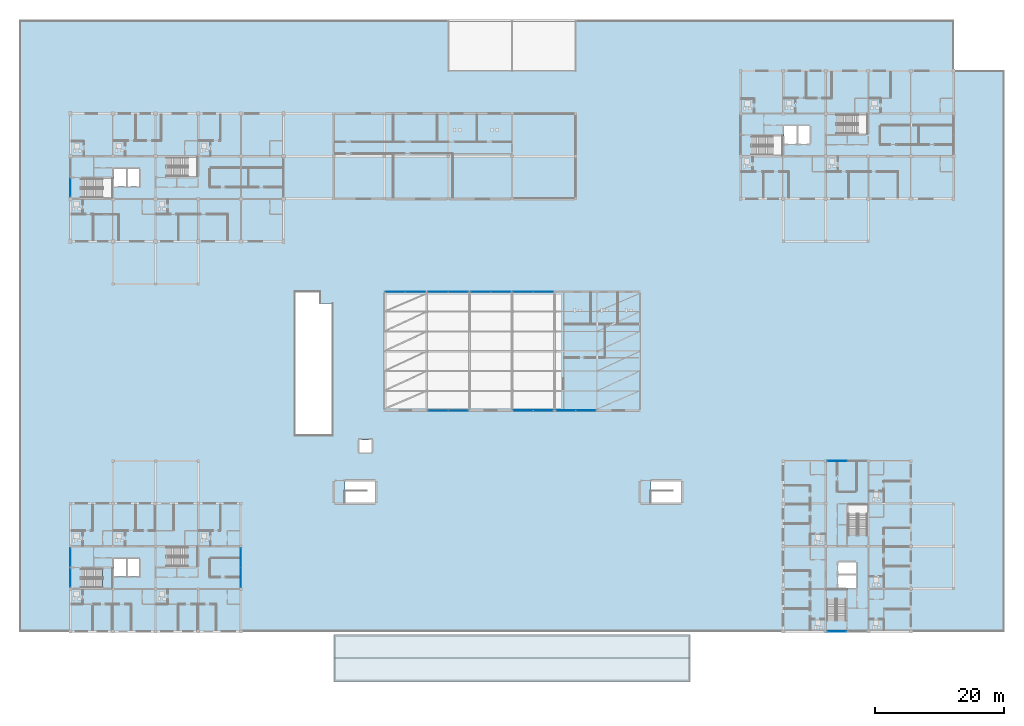
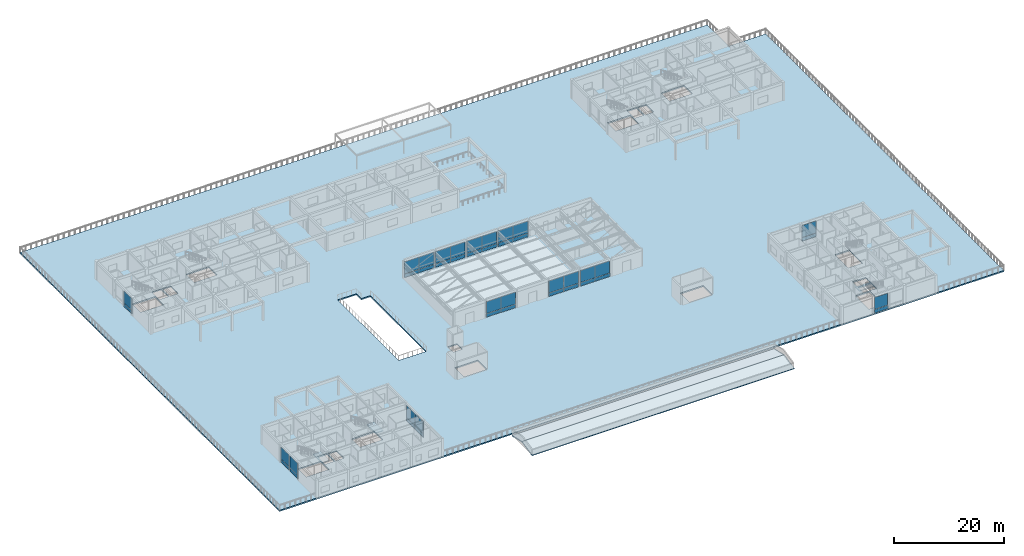
# One storey, part 52 of 92: 42 plates, 6 slabs, 16 elements without a shape of their own.
"""IFC4 building model written with IfcOpenShell, lengths in metres."""

from ifc_helpers import new_model, si_unit, direction, frame, origin, origin_2d, place, context, subcontext, project, spatial, polyline, rectangle, outline, extrude, material, layer, layer_set, type_object, element, aggregate, save


model = new_model("IFC4")

# Units and contexts
model_context = context("Model", 3, precision=1e-05, world=origin(), true_north=direction((0.0, 1.0)))
body_context = subcontext(model_context, "Body", "Model", "MODEL_VIEW")
ifc_project = project(units=[si_unit("LENGTHUNIT", "METRE"), si_unit("AREAUNIT", "SQUARE_METRE"), si_unit("VOLUMEUNIT", "CUBIC_METRE"), si_unit("PLANEANGLEUNIT", "RADIAN"), si_unit("MASSUNIT", "GRAM", prefix="KILO")], contexts=[model_context])

# Site, building, storey
site_placement = place(None, origin())
site = spatial("IfcSite", under=ifc_project, at=site_placement, CompositionType="ELEMENT")
building_placement = place(site_placement, origin())
building = spatial("IfcBuilding", under=site, at=building_placement, Name="Kernevlak Ridge Housing Community", CompositionType="ELEMENT")
storey_placement = place(building_placement, frame((0.0, 0.0, 4.199951171875)))
storey = spatial("IfcBuildingStorey", under=building, at=storey_placement, Name="L01", CompositionType="ELEMENT", Elevation=4.199951171875)

# Curtain wall, plate
ifc_material_1 = material(Name="Aluminium EN AW-6060 anodised and laminated glass", Category="aluminium")
curtain_wall_type_1 = type_object("IfcCurtainWallType", Name="CW-02", PredefinedType="NOTDEFINED", material=ifc_material_1)
curtain_wall_1_placement = place(storey_placement, origin())
curtain_wall_1 = element("IfcCurtainWall", 1, at=curtain_wall_1_placement, inside=storey, type_object=curtain_wall_type_1, Name="Curtain wall CW-02 CW-L01-004", PredefinedType="NOTDEFINED")
ifc_material_2 = material(Name="Acoustic laminated double glazing glass", Category="glass")
ifc_layer_1 = layer(ifc_material_2, 0.028076171875, Name="Acoustic laminated double glazing glass")
ifc_layer_set_1 = layer_set([ifc_layer_1], Name="Acoustic laminated double glazing glass")
plate_type_1 = type_object("IfcPlateType", Name="CP-02", PredefinedType="CURTAIN_PANEL", material=ifc_layer_set_1)
plate_1_placement = place(storey_placement, frame((15.60009765625, 84.344970703125, 0.8798828125), z_axis=(0.0, 0.0, 1.0), x_axis=(0.0, 1.0, 0.0)))
plate_1 = element("IfcPlate", 2, at=plate_1_placement, type_object=plate_type_1, Name="CW-02 panel 1.2", PredefinedType="CURTAIN_PANEL", context=body_context, shape_type="SweptSolid", body=[
    extrude(rectangle(XDim=2.77001953125, YDim=0.028076171875, at=origin_2d()), origin(), (0.0, 0.0, 1.0), 2.659912109375),
])

curtain_wall_type_2 = type_object("IfcCurtainWallType", Name="CW-08", PredefinedType="NOTDEFINED", material=ifc_material_1)
curtain_wall_2_placement = place(storey_placement, origin())
curtain_wall_2 = element("IfcCurtainWall", 3, at=curtain_wall_2_placement, inside=storey, type_object=curtain_wall_type_2, Name="Curtain wall CW-08 CW-L01-103", PredefinedType="NOTDEFINED")
plate_2_placement = place(storey_placement, frame((134.320068359375, 15.60009765625, 0.8798828125), z_axis=(0.0, 0.0, 1.0), x_axis=(1.0, 0.0, 0.0)))
plate_2 = element("IfcPlate", 4, at=plate_2_placement, type_object=plate_type_1, Name="CW-08 panel 1.2", PredefinedType="CURTAIN_PANEL", context=body_context, shape_type="SweptSolid", body=[
    extrude(rectangle(XDim=2.820068359375, YDim=0.028076171875, at=origin_2d()), origin(), (0.0, 0.0, 1.0), 2.659912109375),
])

curtain_wall_type_3 = type_object("IfcCurtainWallType", Name="CW-01", PredefinedType="NOTDEFINED", material=ifc_material_1)
curtain_wall_3_placement = place(storey_placement, origin())
curtain_wall_3 = element("IfcCurtainWall", 5, at=curtain_wall_3_placement, inside=storey, type_object=curtain_wall_type_3, Name="Curtain wall CW-01 CW-L01-105", PredefinedType="NOTDEFINED")
plate_3_placement = place(storey_placement, frame((134.388671875, 42.0, 0.87744140625), z_axis=(0.0, 0.0, 1.0), x_axis=(1.0, 0.0, 0.0)))
plate_3 = element("IfcPlate", 6, at=plate_3_placement, type_object=plate_type_1, Name="CW-01 panel 1.2", PredefinedType="CURTAIN_PANEL", context=body_context, shape_type="SweptSolid", body=[
    extrude(rectangle(XDim=2.967529296875, YDim=0.028076171875, at=origin_2d()), origin(), (0.0, 0.0, 1.0), 2.66748046875),
])

curtain_wall_type_4 = type_object("IfcCurtainWallType", Name="CW-11", PredefinedType="NOTDEFINED", material=ifc_material_1)
curtain_wall_4_placement = place(storey_placement, origin())
curtain_wall_4 = element("IfcCurtainWall", 7, at=curtain_wall_4_placement, inside=storey, type_object=curtain_wall_type_4, Name="Curtain wall CW-11 CW-L01-142", PredefinedType="NOTDEFINED")
plate_4_placement = place(storey_placement, frame((15.60009765625, 23.907470703125, 0.8798828125), z_axis=(0.0, 0.0, 1.0), x_axis=(0.0, 1.0, 0.0)))
plate_4 = element("IfcPlate", 8, at=plate_4_placement, type_object=plate_type_1, Name="CW-11 panel 1.2", PredefinedType="CURTAIN_PANEL", context=body_context, shape_type="SweptSolid", body=[
    extrude(rectangle(XDim=2.844970703125, YDim=0.028076171875, at=origin_2d()), origin(), (0.0, 0.0, 1.0), 2.659912109375),
])

curtain_wall_type_5 = type_object("IfcCurtainWallType", Name="CW-03", PredefinedType="NOTDEFINED", material=ifc_material_1)
curtain_wall_5_placement = place(storey_placement, origin())
curtain_wall_5 = element("IfcCurtainWall", 9, at=curtain_wall_5_placement, inside=storey, type_object=curtain_wall_type_5, Name="Curtain wall CW-03 CW-L01-143", PredefinedType="NOTDEFINED")
plate_5_placement = place(storey_placement, frame((15.60009765625, 27.092529296875, 0.88232421875), z_axis=(0.0, 0.0, 1.0), x_axis=(0.0, 1.0, 0.0)))
plate_5 = element("IfcPlate", 10, at=plate_5_placement, type_object=plate_type_1, Name="CW-03 panel 1.2", PredefinedType="CURTAIN_PANEL", context=body_context, shape_type="SweptSolid", body=[
    extrude(rectangle(XDim=2.8349609375, YDim=0.028076171875, at=origin_2d()), origin(), (0.0, 0.0, 1.0), 2.652587890625),
])

# Curtain wall, plates
curtain_wall_6_placement = place(storey_placement, origin())
curtain_wall_6 = element("IfcCurtainWall", 11, at=curtain_wall_6_placement, inside=storey, type_object=curtain_wall_type_5, Name="Curtain wall CW-03 CW-L01-144", PredefinedType="NOTDEFINED")
plate_6_placement = place(storey_placement, frame((42.0, 23.976318359375, 0.87744140625), z_axis=(0.0, 0.0, 1.0), x_axis=(0.0, 1.0, 0.0)))
plate_6 = element("IfcPlate", 12, at=plate_6_placement, type_object=plate_type_1, Name="CW-03 panel 1.2", PredefinedType="CURTAIN_PANEL", context=body_context, shape_type="SweptSolid", body=[
    extrude(rectangle(XDim=2.992431640625, YDim=0.028076171875, at=origin_2d()), origin(), (0.0, 0.0, 1.0), 2.66748046875),
])
plate_7_placement = place(storey_placement, frame((42.0, 27.023681640625, 0.87744140625), z_axis=(0.0, 0.0, 1.0), x_axis=(0.0, 1.0, 0.0)))
plate_7 = element("IfcPlate", 13, at=plate_7_placement, type_object=plate_type_1, Name="CW-03 panel 2.2", PredefinedType="CURTAIN_PANEL", context=body_context, shape_type="SweptSolid", body=[
    extrude(rectangle(XDim=2.992431640625, YDim=0.028076171875, at=origin_2d()), origin(), (0.0, 0.0, 1.0), 2.66748046875),
])

curtain_wall_type_6 = type_object("IfcCurtainWallType", Name="CW-10", PredefinedType="NOTDEFINED", material=ifc_material_1)
curtain_wall_7_placement = place(storey_placement, origin())
curtain_wall_7 = element("IfcCurtainWall", 14, at=curtain_wall_7_placement, inside=storey, type_object=curtain_wall_type_6, Name="Curtain wall CW-10 CW-L01-175", PredefinedType="NOTDEFINED")
plate_8_placement = place(storey_placement, frame((65.93994140625, 68.199951171875, 0.8798828125), z_axis=(0.0, 0.0, 1.0), x_axis=(1.0, 0.0, 0.0)))
plate_8 = element("IfcPlate", 15, at=plate_8_placement, type_object=plate_type_1, Name="CW-10 panel 1.2", PredefinedType="CURTAIN_PANEL", context=body_context, shape_type="SweptSolid", body=[
    extrude(rectangle(XDim=3.06005859375, YDim=0.028076171875, at=origin_2d()), origin(), (0.0, 0.0, 1.0), 2.659912109375),
])
plate_9_placement = place(storey_placement, frame((69.06005859375, 68.199951171875, 0.8798828125), z_axis=(0.0, 0.0, 1.0), x_axis=(1.0, 0.0, 0.0)))
plate_9 = element("IfcPlate", 16, at=plate_9_placement, type_object=plate_type_1, Name="CW-10 panel 2.2", PredefinedType="CURTAIN_PANEL", context=body_context, shape_type="SweptSolid", body=[
    extrude(rectangle(XDim=3.06005859375, YDim=0.028076171875, at=origin_2d()), origin(), (0.0, 0.0, 1.0), 2.659912109375),
])

curtain_wall_type_7 = type_object("IfcCurtainWallType", Name="CW-07", PredefinedType="NOTDEFINED", material=ifc_material_1)
curtain_wall_8_placement = place(storey_placement, origin())
curtain_wall_8 = element("IfcCurtainWall", 17, at=curtain_wall_8_placement, inside=storey, type_object=curtain_wall_type_7, Name="Curtain wall CW-07 CW-L01-176", PredefinedType="NOTDEFINED")
plate_10_placement = place(storey_placement, frame((72.543701171875, 49.800048828125, 0.88232421875), z_axis=(0.0, 0.0, 1.0), x_axis=(1.0, 0.0, 0.0)))
plate_10 = element("IfcPlate", 18, at=plate_10_placement, type_object=plate_type_1, Name="CW-07 panel 1.2", PredefinedType="CURTAIN_PANEL", context=body_context, shape_type="SweptSolid", body=[
    extrude(rectangle(XDim=3.0576171875, YDim=0.028076171875, at=origin_2d()), origin(), (0.0, 0.0, 1.0), 2.652587890625),
])
plate_11_placement = place(storey_placement, frame((75.666259765625, 49.800048828125, 0.88232421875), z_axis=(0.0, 0.0, 1.0), x_axis=(1.0, 0.0, 0.0)))
plate_11 = element("IfcPlate", 19, at=plate_11_placement, type_object=plate_type_1, Name="CW-07 panel 2.2", PredefinedType="CURTAIN_PANEL", context=body_context, shape_type="SweptSolid", body=[
    extrude(rectangle(XDim=3.0576171875, YDim=0.028076171875, at=origin_2d()), origin(), (0.0, 0.0, 1.0), 2.652587890625),
])

curtain_wall_9_placement = place(storey_placement, origin())
curtain_wall_9 = element("IfcCurtainWall", 20, at=curtain_wall_9_placement, inside=storey, type_object=curtain_wall_type_4, Name="Curtain wall CW-11 CW-L01-177", PredefinedType="NOTDEFINED")
plate_12_placement = place(storey_placement, frame((72.541259765625, 68.199951171875, 0.87744140625), z_axis=(0.0, 0.0, 1.0), x_axis=(1.0, 0.0, 0.0)))
plate_12 = element("IfcPlate", 21, at=plate_12_placement, type_object=plate_type_1, Name="CW-11 panel 1.2", PredefinedType="CURTAIN_PANEL", context=body_context, shape_type="SweptSolid", body=[
    extrude(rectangle(XDim=3.072509765625, YDim=0.028076171875, at=origin_2d()), origin(), (0.0, 0.0, 1.0), 2.66748046875),
])
plate_13_placement = place(storey_placement, frame((75.668701171875, 68.199951171875, 0.87744140625), z_axis=(0.0, 0.0, 1.0), x_axis=(1.0, 0.0, 0.0)))
plate_13 = element("IfcPlate", 22, at=plate_13_placement, type_object=plate_type_1, Name="CW-11 panel 2.2", PredefinedType="CURTAIN_PANEL", context=body_context, shape_type="SweptSolid", body=[
    extrude(rectangle(XDim=3.072509765625, YDim=0.028076171875, at=origin_2d()), origin(), (0.0, 0.0, 1.0), 2.66748046875),
])

curtain_wall_type_8 = type_object("IfcCurtainWallType", Name="CW-12", PredefinedType="NOTDEFINED", material=ifc_material_1)
curtain_wall_10_placement = place(storey_placement, origin())
curtain_wall_10 = element("IfcCurtainWall", 23, at=curtain_wall_10_placement, inside=storey, type_object=curtain_wall_type_8, Name="Curtain wall CW-12 CW-L01-178", PredefinedType="NOTDEFINED")
plate_14_placement = place(storey_placement, frame((79.14501953125, 68.199951171875, 0.8798828125), z_axis=(0.0, 0.0, 1.0), x_axis=(1.0, 0.0, 0.0)))
plate_14 = element("IfcPlate", 24, at=plate_14_placement, type_object=plate_type_1, Name="CW-12 panel 1.2", PredefinedType="CURTAIN_PANEL", context=body_context, shape_type="SweptSolid", body=[
    extrude(rectangle(XDim=3.090087890625, YDim=0.028076171875, at=origin_2d()), origin(), (0.0, 0.0, 1.0), 2.659912109375),
])
plate_15_placement = place(storey_placement, frame((82.294921875, 68.199951171875, 0.8798828125), z_axis=(0.0, 0.0, 1.0), x_axis=(1.0, 0.0, 0.0)))
plate_15 = element("IfcPlate", 25, at=plate_15_placement, type_object=plate_type_1, Name="CW-12 panel 2.2", PredefinedType="CURTAIN_PANEL", context=body_context, shape_type="SweptSolid", body=[
    extrude(rectangle(XDim=3.090087890625, YDim=0.028076171875, at=origin_2d()), origin(), (0.0, 0.0, 1.0), 2.659912109375),
])

curtain_wall_type_9 = type_object("IfcCurtainWallType", Name="CW-09", PredefinedType="NOTDEFINED", material=ifc_material_1)
curtain_wall_11_placement = place(storey_placement, origin())
curtain_wall_11 = element("IfcCurtainWall", 26, at=curtain_wall_11_placement, inside=storey, type_object=curtain_wall_type_9, Name="Curtain wall CW-09 CW-L01-179", PredefinedType="NOTDEFINED")
plate_16_placement = place(storey_placement, frame((85.706298828125, 49.800048828125, 0.88232421875), z_axis=(0.0, 0.0, 1.0), x_axis=(1.0, 0.0, 0.0)))
plate_16 = element("IfcPlate", 27, at=plate_16_placement, type_object=plate_type_1, Name="CW-09 panel 1.2", PredefinedType="CURTAIN_PANEL", context=body_context, shape_type="SweptSolid", body=[
    extrude(rectangle(XDim=3.08251953125, YDim=0.028076171875, at=origin_2d()), origin(), (0.0, 0.0, 1.0), 2.652587890625),
])
plate_17_placement = place(storey_placement, frame((88.853759765625, 49.800048828125, 0.88232421875), z_axis=(0.0, 0.0, 1.0), x_axis=(1.0, 0.0, 0.0)))
plate_17 = element("IfcPlate", 28, at=plate_17_placement, type_object=plate_type_1, Name="CW-09 panel 2.2", PredefinedType="CURTAIN_PANEL", context=body_context, shape_type="SweptSolid", body=[
    extrude(rectangle(XDim=3.08251953125, YDim=0.028076171875, at=origin_2d()), origin(), (0.0, 0.0, 1.0), 2.652587890625),
])

curtain_wall_type_10 = type_object("IfcCurtainWallType", Name="CW-13", PredefinedType="NOTDEFINED", material=ifc_material_1)
curtain_wall_12_placement = place(storey_placement, origin())
curtain_wall_12 = element("IfcCurtainWall", 29, at=curtain_wall_12_placement, inside=storey, type_object=curtain_wall_type_10, Name="Curtain wall CW-13 CW-L01-180", PredefinedType="NOTDEFINED")
plate_18_placement = place(storey_placement, frame((85.703857421875, 68.199951171875, 0.87744140625), z_axis=(0.0, 0.0, 1.0), x_axis=(1.0, 0.0, 0.0)))
plate_18 = element("IfcPlate", 30, at=plate_18_placement, type_object=plate_type_1, Name="CW-13 panel 1.2", PredefinedType="CURTAIN_PANEL", context=body_context, shape_type="SweptSolid", body=[
    extrude(rectangle(XDim=3.097412109375, YDim=0.028076171875, at=origin_2d()), origin(), (0.0, 0.0, 1.0), 2.66748046875),
])
plate_19_placement = place(storey_placement, frame((88.856201171875, 68.199951171875, 0.87744140625), z_axis=(0.0, 0.0, 1.0), x_axis=(1.0, 0.0, 0.0)))
plate_19 = element("IfcPlate", 31, at=plate_19_placement, type_object=plate_type_1, Name="CW-13 panel 2.2", PredefinedType="CURTAIN_PANEL", context=body_context, shape_type="SweptSolid", body=[
    extrude(rectangle(XDim=3.097412109375, YDim=0.028076171875, at=origin_2d()), origin(), (0.0, 0.0, 1.0), 2.66748046875),
])

curtain_wall_13_placement = place(storey_placement, origin())
curtain_wall_13 = element("IfcCurtainWall", 32, at=curtain_wall_13_placement, inside=storey, type_object=curtain_wall_type_6, Name="Curtain wall CW-10 CW-L01-181", PredefinedType="NOTDEFINED")
plate_20_placement = place(storey_placement, frame((92.33251953125, 49.800048828125, 0.8798828125), z_axis=(0.0, 0.0, 1.0), x_axis=(1.0, 0.0, 0.0)))
plate_20 = element("IfcPlate", 33, at=plate_20_placement, type_object=plate_type_1, Name="CW-10 panel 1.2", PredefinedType="CURTAIN_PANEL", context=body_context, shape_type="SweptSolid", body=[
    extrude(rectangle(XDim=3.06494140625, YDim=0.028076171875, at=origin_2d()), origin(), (0.0, 0.0, 1.0), 2.659912109375),
])
plate_21_placement = place(storey_placement, frame((95.45751953125, 49.800048828125, 0.8798828125), z_axis=(0.0, 0.0, 1.0), x_axis=(1.0, 0.0, 0.0)))
plate_21 = element("IfcPlate", 34, at=plate_21_placement, type_object=plate_type_1, Name="CW-10 panel 2.2", PredefinedType="CURTAIN_PANEL", context=body_context, shape_type="SweptSolid", body=[
    extrude(rectangle(XDim=3.06494140625, YDim=0.028076171875, at=origin_2d()), origin(), (0.0, 0.0, 1.0), 2.659912109375),
])

# Plate
ifc_material_3 = material(Name="Aluminium EN AW-5005 enamelled panel", Category="aluminium")
ifc_layer_2 = layer(ifc_material_3, 0.033935546875, Name="Aluminium EN AW-5005 enamelled panel")
ifc_layer_set_2 = layer_set([ifc_layer_2], Name="Aluminium EN AW-5005 enamelled panel")
plate_type_2 = type_object("IfcPlateType", Name="CP-03", PredefinedType="CURTAIN_PANEL", material=ifc_layer_set_2)
plate_22_placement = place(storey_placement, frame((15.60009765625, 23.907470703125, 0.06005859375), z_axis=(0.0, 0.0, 1.0), x_axis=(0.0, 1.0, 0.0)))
plate_22 = element("IfcPlate", 35, at=plate_22_placement, type_object=plate_type_2, Name="CW-11 panel 1.1", PredefinedType="CURTAIN_PANEL", context=body_context, shape_type="SweptSolid", body=[
    extrude(rectangle(XDim=2.844970703125, YDim=0.033935546875, at=origin_2d()), origin(), (0.0, 0.0, 1.0), 0.760009765625),
])

aggregate(curtain_wall_4, [plate_22, plate_4])

ifc_layer_3 = layer(ifc_material_3, 0.0380859375, Name="Aluminium EN AW-5005 enamelled panel")
ifc_layer_set_3 = layer_set([ifc_layer_3], Name="Aluminium EN AW-5005 enamelled panel")
plate_type_3 = type_object("IfcPlateType", Name="CP-04", PredefinedType="CURTAIN_PANEL", material=ifc_layer_set_3)
plate_23_placement = place(storey_placement, frame((134.388671875, 42.0, 0.054931640625), z_axis=(0.0, 0.0, 1.0), x_axis=(1.0, 0.0, 0.0)))
plate_23 = element("IfcPlate", 36, at=plate_23_placement, type_object=plate_type_3, Name="CW-01 panel 1.1", PredefinedType="CURTAIN_PANEL", context=body_context, shape_type="SweptSolid", body=[
    extrude(rectangle(XDim=2.967529296875, YDim=0.0380859375, at=origin_2d()), origin(), (0.0, 0.0, 1.0), 0.767578125),
])

aggregate(curtain_wall_3, [plate_23, plate_3])

plate_24_placement = place(storey_placement, frame((15.60009765625, 27.092529296875, 0.065185546875), z_axis=(0.0, 0.0, 1.0), x_axis=(0.0, 1.0, 0.0)))
plate_24 = element("IfcPlate", 37, at=plate_24_placement, type_object=plate_type_3, Name="CW-03 panel 1.1", PredefinedType="CURTAIN_PANEL", context=body_context, shape_type="SweptSolid", body=[
    extrude(rectangle(XDim=2.8349609375, YDim=0.0380859375, at=origin_2d()), origin(), (0.0, 0.0, 1.0), 0.75244140625),
])

aggregate(curtain_wall_5, [plate_24, plate_5])

plate_25_placement = place(storey_placement, frame((65.93994140625, 68.199951171875, 0.06005859375), z_axis=(0.0, 0.0, 1.0), x_axis=(1.0, 0.0, 0.0)))
plate_25 = element("IfcPlate", 38, at=plate_25_placement, type_object=plate_type_3, Name="CW-10 panel 1.1", PredefinedType="CURTAIN_PANEL", context=body_context, shape_type="SweptSolid", body=[
    extrude(rectangle(XDim=3.06005859375, YDim=0.0380859375, at=origin_2d()), origin(), (0.0, 0.0, 1.0), 0.760009765625),
])

plate_26_placement = place(storey_placement, frame((69.06005859375, 68.199951171875, 0.06005859375), z_axis=(0.0, 0.0, 1.0), x_axis=(1.0, 0.0, 0.0)))
plate_26 = element("IfcPlate", 39, at=plate_26_placement, type_object=plate_type_3, Name="CW-10 panel 2.1", PredefinedType="CURTAIN_PANEL", context=body_context, shape_type="SweptSolid", body=[
    extrude(rectangle(XDim=3.06005859375, YDim=0.0380859375, at=origin_2d()), origin(), (0.0, 0.0, 1.0), 0.760009765625),
])

aggregate(curtain_wall_7, [plate_25, plate_8, plate_26, plate_9])

plate_27_placement = place(storey_placement, frame((72.543701171875, 49.800048828125, 0.065185546875), z_axis=(0.0, 0.0, 1.0), x_axis=(1.0, 0.0, 0.0)))
plate_27 = element("IfcPlate", 40, at=plate_27_placement, type_object=plate_type_3, Name="CW-07 panel 1.1", PredefinedType="CURTAIN_PANEL", context=body_context, shape_type="SweptSolid", body=[
    extrude(rectangle(XDim=3.0576171875, YDim=0.0380859375, at=origin_2d()), origin(), (0.0, 0.0, 1.0), 0.75244140625),
])

plate_28_placement = place(storey_placement, frame((75.666259765625, 49.800048828125, 0.065185546875), z_axis=(0.0, 0.0, 1.0), x_axis=(1.0, 0.0, 0.0)))
plate_28 = element("IfcPlate", 41, at=plate_28_placement, type_object=plate_type_3, Name="CW-07 panel 2.1", PredefinedType="CURTAIN_PANEL", context=body_context, shape_type="SweptSolid", body=[
    extrude(rectangle(XDim=3.0576171875, YDim=0.0380859375, at=origin_2d()), origin(), (0.0, 0.0, 1.0), 0.75244140625),
])

aggregate(curtain_wall_8, [plate_27, plate_10, plate_28, plate_11])

ifc_layer_4 = layer(ifc_material_3, 0.0419921875, Name="Aluminium EN AW-5005 enamelled panel")
ifc_layer_set_4 = layer_set([ifc_layer_4], Name="Aluminium EN AW-5005 enamelled panel")
plate_type_4 = type_object("IfcPlateType", Name="CP-05", PredefinedType="CURTAIN_PANEL", material=ifc_layer_set_4)
plate_29_placement = place(storey_placement, frame((15.60009765625, 84.344970703125, 0.06005859375), z_axis=(0.0, 0.0, 1.0), x_axis=(0.0, 1.0, 0.0)))
plate_29 = element("IfcPlate", 42, at=plate_29_placement, type_object=plate_type_4, Name="CW-02 panel 1.1", PredefinedType="CURTAIN_PANEL", context=body_context, shape_type="SweptSolid", body=[
    extrude(rectangle(XDim=2.77001953125, YDim=0.0419921875, at=origin_2d()), origin(), (0.0, 0.0, 1.0), 0.760009765625),
])

aggregate(curtain_wall_1, [plate_29, plate_1])

plate_30_placement = place(storey_placement, frame((42.0, 23.976318359375, 0.054931640625), z_axis=(0.0, 0.0, 1.0), x_axis=(0.0, 1.0, 0.0)))
plate_30 = element("IfcPlate", 43, at=plate_30_placement, type_object=plate_type_4, Name="CW-03 panel 1.1", PredefinedType="CURTAIN_PANEL", context=body_context, shape_type="SweptSolid", body=[
    extrude(rectangle(XDim=2.992431640625, YDim=0.0419921875, at=origin_2d()), origin(), (0.0, 0.0, 1.0), 0.767578125),
])

plate_31_placement = place(storey_placement, frame((42.0, 27.023681640625, 0.054931640625), z_axis=(0.0, 0.0, 1.0), x_axis=(0.0, 1.0, 0.0)))
plate_31 = element("IfcPlate", 44, at=plate_31_placement, type_object=plate_type_4, Name="CW-03 panel 2.1", PredefinedType="CURTAIN_PANEL", context=body_context, shape_type="SweptSolid", body=[
    extrude(rectangle(XDim=2.992431640625, YDim=0.0419921875, at=origin_2d()), origin(), (0.0, 0.0, 1.0), 0.767578125),
])

aggregate(curtain_wall_6, [plate_30, plate_6, plate_31, plate_7])

plate_32_placement = place(storey_placement, frame((72.541259765625, 68.199951171875, 0.054931640625), z_axis=(0.0, 0.0, 1.0), x_axis=(1.0, 0.0, 0.0)))
plate_32 = element("IfcPlate", 45, at=plate_32_placement, type_object=plate_type_4, Name="CW-11 panel 1.1", PredefinedType="CURTAIN_PANEL", context=body_context, shape_type="SweptSolid", body=[
    extrude(rectangle(XDim=3.072509765625, YDim=0.0419921875, at=origin_2d()), origin(), (0.0, 0.0, 1.0), 0.767578125),
])

plate_33_placement = place(storey_placement, frame((75.668701171875, 68.199951171875, 0.054931640625), z_axis=(0.0, 0.0, 1.0), x_axis=(1.0, 0.0, 0.0)))
plate_33 = element("IfcPlate", 46, at=plate_33_placement, type_object=plate_type_4, Name="CW-11 panel 2.1", PredefinedType="CURTAIN_PANEL", context=body_context, shape_type="SweptSolid", body=[
    extrude(rectangle(XDim=3.072509765625, YDim=0.0419921875, at=origin_2d()), origin(), (0.0, 0.0, 1.0), 0.767578125),
])

aggregate(curtain_wall_9, [plate_32, plate_12, plate_33, plate_13])

ifc_material_4 = material(Name="Aluminium EN AW-5005 insulated panel", Category="aluminium")
ifc_layer_5 = layer(ifc_material_4, 0.0458984375, Name="Aluminium EN AW-5005 insulated panel")
ifc_layer_set_5 = layer_set([ifc_layer_5], Name="Aluminium EN AW-5005 insulated panel")
plate_type_5 = type_object("IfcPlateType", Name="CP-06", PredefinedType="CURTAIN_PANEL", material=ifc_layer_set_5)
plate_34_placement = place(storey_placement, frame((79.14501953125, 68.199951171875, 0.06005859375), z_axis=(0.0, 0.0, 1.0), x_axis=(1.0, 0.0, 0.0)))
plate_34 = element("IfcPlate", 47, at=plate_34_placement, type_object=plate_type_5, Name="CW-12 panel 1.1", PredefinedType="CURTAIN_PANEL", context=body_context, shape_type="SweptSolid", body=[
    extrude(rectangle(XDim=3.090087890625, YDim=0.0458984375, at=origin_2d()), origin(), (0.0, 0.0, 1.0), 0.760009765625),
])

plate_35_placement = place(storey_placement, frame((82.294921875, 68.199951171875, 0.06005859375), z_axis=(0.0, 0.0, 1.0), x_axis=(1.0, 0.0, 0.0)))
plate_35 = element("IfcPlate", 48, at=plate_35_placement, type_object=plate_type_5, Name="CW-12 panel 2.1", PredefinedType="CURTAIN_PANEL", context=body_context, shape_type="SweptSolid", body=[
    extrude(rectangle(XDim=3.090087890625, YDim=0.0458984375, at=origin_2d()), origin(), (0.0, 0.0, 1.0), 0.760009765625),
])

aggregate(curtain_wall_10, [plate_34, plate_14, plate_35, plate_15])

plate_36_placement = place(storey_placement, frame((85.706298828125, 49.800048828125, 0.065185546875), z_axis=(0.0, 0.0, 1.0), x_axis=(1.0, 0.0, 0.0)))
plate_36 = element("IfcPlate", 49, at=plate_36_placement, type_object=plate_type_5, Name="CW-09 panel 1.1", PredefinedType="CURTAIN_PANEL", context=body_context, shape_type="SweptSolid", body=[
    extrude(rectangle(XDim=3.08251953125, YDim=0.0458984375, at=origin_2d()), origin(), (0.0, 0.0, 1.0), 0.75244140625),
])

plate_37_placement = place(storey_placement, frame((88.853759765625, 49.800048828125, 0.065185546875), z_axis=(0.0, 0.0, 1.0), x_axis=(1.0, 0.0, 0.0)))
plate_37 = element("IfcPlate", 50, at=plate_37_placement, type_object=plate_type_5, Name="CW-09 panel 2.1", PredefinedType="CURTAIN_PANEL", context=body_context, shape_type="SweptSolid", body=[
    extrude(rectangle(XDim=3.08251953125, YDim=0.0458984375, at=origin_2d()), origin(), (0.0, 0.0, 1.0), 0.75244140625),
])

aggregate(curtain_wall_11, [plate_36, plate_16, plate_37, plate_17])

ifc_layer_6 = layer(ifc_material_4, 0.050048828125, Name="Aluminium EN AW-5005 insulated panel")
ifc_layer_set_6 = layer_set([ifc_layer_6], Name="Aluminium EN AW-5005 insulated panel")
plate_type_6 = type_object("IfcPlateType", Name="CP-07", PredefinedType="CURTAIN_PANEL", material=ifc_layer_set_6)
plate_38_placement = place(storey_placement, frame((134.320068359375, 15.60009765625, 0.06005859375), z_axis=(0.0, 0.0, 1.0), x_axis=(1.0, 0.0, 0.0)))
plate_38 = element("IfcPlate", 51, at=plate_38_placement, type_object=plate_type_6, Name="CW-08 panel 1.1", PredefinedType="CURTAIN_PANEL", context=body_context, shape_type="SweptSolid", body=[
    extrude(rectangle(XDim=2.820068359375, YDim=0.050048828125, at=origin_2d()), origin(), (0.0, 0.0, 1.0), 0.760009765625),
])

aggregate(curtain_wall_2, [plate_38, plate_2])

plate_39_placement = place(storey_placement, frame((85.703857421875, 68.199951171875, 0.054931640625), z_axis=(0.0, 0.0, 1.0), x_axis=(1.0, 0.0, 0.0)))
plate_39 = element("IfcPlate", 52, at=plate_39_placement, type_object=plate_type_6, Name="CW-13 panel 1.1", PredefinedType="CURTAIN_PANEL", context=body_context, shape_type="SweptSolid", body=[
    extrude(rectangle(XDim=3.097412109375, YDim=0.050048828125, at=origin_2d()), origin(), (0.0, 0.0, 1.0), 0.767578125),
])

plate_40_placement = place(storey_placement, frame((88.856201171875, 68.199951171875, 0.054931640625), z_axis=(0.0, 0.0, 1.0), x_axis=(1.0, 0.0, 0.0)))
plate_40 = element("IfcPlate", 53, at=plate_40_placement, type_object=plate_type_6, Name="CW-13 panel 2.1", PredefinedType="CURTAIN_PANEL", context=body_context, shape_type="SweptSolid", body=[
    extrude(rectangle(XDim=3.097412109375, YDim=0.050048828125, at=origin_2d()), origin(), (0.0, 0.0, 1.0), 0.767578125),
])

aggregate(curtain_wall_12, [plate_39, plate_18, plate_40, plate_19])

plate_41_placement = place(storey_placement, frame((92.33251953125, 49.800048828125, 0.06005859375), z_axis=(0.0, 0.0, 1.0), x_axis=(1.0, 0.0, 0.0)))
plate_41 = element("IfcPlate", 54, at=plate_41_placement, type_object=plate_type_6, Name="CW-10 panel 1.1", PredefinedType="CURTAIN_PANEL", context=body_context, shape_type="SweptSolid", body=[
    extrude(rectangle(XDim=3.06494140625, YDim=0.050048828125, at=origin_2d()), origin(), (0.0, 0.0, 1.0), 0.760009765625),
])

plate_42_placement = place(storey_placement, frame((95.45751953125, 49.800048828125, 0.06005859375), z_axis=(0.0, 0.0, 1.0), x_axis=(1.0, 0.0, 0.0)))
plate_42 = element("IfcPlate", 55, at=plate_42_placement, type_object=plate_type_6, Name="CW-10 panel 2.1", PredefinedType="CURTAIN_PANEL", context=body_context, shape_type="SweptSolid", body=[
    extrude(rectangle(XDim=3.06494140625, YDim=0.050048828125, at=origin_2d()), origin(), (0.0, 0.0, 1.0), 0.760009765625),
])

aggregate(curtain_wall_13, [plate_41, plate_20, plate_42, plate_21])

# Slabs
ifc_material_5 = material(Name="Concrete C35/45", Category="concrete")
ifc_layer_7 = layer(ifc_material_5, 0.280029296875, Name="Concrete C35/45")
ifc_layer_set_7 = layer_set([ifc_layer_7], Name="Concrete C35/45")
slab_type_1 = type_object("IfcSlabType", Name="SL-02", PredefinedType="FLOOR", material=ifc_layer_set_7)
slab_1_placement = place(storey_placement, frame((0.0, 0.0, -0.280029296875)))
element("IfcSlab", 56, at=slab_1_placement, inside=storey, type_object=slab_type_1, Name="Level L01 upper civic podium floor slab", PredefinedType="FLOOR", context=body_context, shape_type="SweptSolid", body=[
    extrude(outline(polyline([(7.800048828125, 15.60009765625), (160.199951171875, 15.60009765625), (160.199951171875, 102.39990234375), (152.39990234375, 102.39990234375), (152.39990234375, 110.199951171875), (7.800048828125, 110.199951171875), (7.800048828125, 15.60009765625)]), holes=[polyline([(50.39990234375, 46.0), (50.39990234375, 68.199951171875), (54.300048828125, 68.199951171875), (54.300048828125, 66.39990234375), (56.199951171875, 66.39990234375), (56.199951171875, 46.0), (50.39990234375, 46.0)]), polyline([(17.300048828125, 85.75), (22.1201171875, 85.75), (22.1201171875, 82.75), (17.300048828125, 82.75), (17.300048828125, 85.75)]), polyline([(30.5, 89.050048828125), (35.320068359375, 89.050048828125), (35.320068359375, 86.050048828125), (30.5, 86.050048828125), (30.5, 89.050048828125)]), polyline([(121.10009765625, 92.35009765625), (125.919921875, 92.35009765625), (125.919921875, 89.35009765625), (121.10009765625, 89.35009765625), (121.10009765625, 92.35009765625)]), polyline([(134.300048828125, 95.64990234375), (139.1201171875, 95.64990234375), (139.1201171875, 92.64990234375), (134.300048828125, 92.64990234375), (134.300048828125, 95.64990234375)]), polyline([(132.75, 17.300048828125), (132.75, 22.1201171875), (135.75, 22.1201171875), (135.75, 17.300048828125), (132.75, 17.300048828125)]), polyline([(136.050048828125, 30.5), (136.050048828125, 35.320068359375), (139.050048828125, 35.320068359375), (139.050048828125, 30.5), (136.050048828125, 30.5)]), polyline([(17.300048828125, 25.35009765625), (22.1201171875, 25.35009765625), (22.1201171875, 22.35009765625), (17.300048828125, 22.35009765625), (17.300048828125, 25.35009765625)]), polyline([(30.5, 28.64990234375), (35.320068359375, 28.64990234375), (35.320068359375, 25.64990234375), (30.5, 25.64990234375), (30.5, 28.64990234375)]), polyline([(58.10009765625, 38.85009765625), (62.919921875, 38.85009765625), (62.919921875, 35.550048828125), (58.10009765625, 35.550048828125), (58.10009765625, 38.85009765625)]), polyline([(105.5, 38.85009765625), (110.320068359375, 38.85009765625), (110.320068359375, 35.550048828125), (105.5, 35.550048828125), (105.5, 38.85009765625)]), polyline([(22.320068359375, 87.280029296875), (24.280029296875, 87.280029296875), (24.280029296875, 84.52001953125), (22.320068359375, 84.52001953125), (22.320068359375, 87.280029296875)]), polyline([(24.52001953125, 87.280029296875), (26.280029296875, 87.280029296875), (26.280029296875, 84.52001953125), (24.52001953125, 84.52001953125), (24.52001953125, 87.280029296875)]), polyline([(126.1201171875, 93.8798828125), (128.080078125, 93.8798828125), (128.080078125, 91.1201171875), (126.1201171875, 91.1201171875), (126.1201171875, 93.8798828125)]), polyline([(128.320068359375, 93.8798828125), (130.080078125, 93.8798828125), (130.080078125, 91.1201171875), (128.320068359375, 91.1201171875), (128.320068359375, 93.8798828125)]), polyline([(134.52001953125, 24.280029296875), (137.280029296875, 24.280029296875), (137.280029296875, 22.320068359375), (134.52001953125, 22.320068359375), (134.52001953125, 24.280029296875)]), polyline([(134.52001953125, 26.280029296875), (137.280029296875, 26.280029296875), (137.280029296875, 24.52001953125), (134.52001953125, 24.52001953125), (134.52001953125, 26.280029296875)]), polyline([(22.320068359375, 26.8798828125), (24.280029296875, 26.8798828125), (24.280029296875, 24.1201171875), (22.320068359375, 24.1201171875), (22.320068359375, 26.8798828125)]), polyline([(24.52001953125, 26.8798828125), (26.280029296875, 26.8798828125), (26.280029296875, 24.1201171875), (24.52001953125, 24.1201171875), (24.52001953125, 26.8798828125)]), polyline([(60.320068359375, 45.280029296875), (62.280029296875, 45.280029296875), (62.280029296875, 43.320068359375), (60.320068359375, 43.320068359375), (60.320068359375, 45.280029296875)])]), origin(), (0.0, 0.0, 1.0), 0.280029296875),
])
ifc_layer_8 = layer(ifc_material_5, 0.2099609375, Name="Concrete C35/45")
ifc_layer_set_8 = layer_set([ifc_layer_8], Name="Concrete C35/45")
slab_type_2 = type_object("IfcSlabType", Name="SL-10", PredefinedType="ROOF", material=ifc_layer_set_8)
slab_2_placement = place(storey_placement, frame((56.39990234375, 7.800048828125, 0.0), z_axis=(0.0, -0.21411385579, 0.976808710423), x_axis=(1.0, 0.0, 0.0)))
element("IfcSlab", 57, at=slab_2_placement, inside=storey, type_object=slab_type_2, Name="Retail arcade pitched roof slab (south slope)", PredefinedType="ROOF", context=body_context, shape_type="SweptSolid", body=[
    extrude(outline(polyline([(0.0, 0.0), (55.2001953125, 0.0), (55.2001953125, 3.736557940979362), (0.0, 3.736557940979362), (0.0, 0.0)])), origin(), (0.0, 0.0, -1.0), 0.2099609375),
])
slab_3_placement = place(storey_placement, frame((56.39990234375, 11.449951171875, 0.800048828125), z_axis=(0.0, 0.214100191232, 0.976811705558), x_axis=(1.0, 0.0, 0.0)))
element("IfcSlab", 58, at=slab_3_placement, inside=storey, type_object=slab_type_2, Name="Retail arcade pitched roof slab (north slope)", PredefinedType="ROOF", context=body_context, shape_type="SweptSolid", body=[
    extrude(outline(polyline([(0.0, 0.0), (55.2001953125, 0.0), (55.2001953125, 3.736796420034059), (0.0, 3.736796420034059), (0.0, 0.0)])), origin(), (0.0, 0.0, -1.0), 0.2099609375),
])

# Stair, slab
stair_type = type_object("IfcStairType", Name="SR-02", PredefinedType="HALF_TURN_STAIR", material=ifc_material_5)
stair_1_placement = place(storey_placement, origin())
stair_1 = element("IfcStair", 59, at=stair_1_placement, inside=storey, type_object=stair_type, Name="Stair ST-C1 L01", PredefinedType="HALF_TURN_STAIR")
ifc_layer_9 = layer(ifc_material_5, 0.18994140625, Name="Concrete C35/45")
ifc_layer_set_9 = layer_set([ifc_layer_9], Name="Concrete C35/45")
slab_type_3 = type_object("IfcSlabType", Name="SL-13", PredefinedType="LANDING", material=ifc_layer_set_9)
slab_4_placement = place(storey_placement, frame((0.0, 0.0, 1.91015625)))
slab_4 = element("IfcSlab", 60, at=slab_4_placement, type_object=slab_type_3, Name="SR-02 landing 1", PredefinedType="LANDING", context=body_context, shape_type="SweptSolid", body=[
    extrude(outline(polyline([(135.85009765625, 20.5400390625), (135.85009765625, 22.14990234375), (132.64990234375, 22.14990234375), (132.64990234375, 20.5400390625), (135.85009765625, 20.5400390625)])), origin(), (0.0, 0.0, 1.0), 0.18994140625),
])
aggregate(stair_1, [slab_4])

stair_2_placement = place(storey_placement, origin())
stair_2 = element("IfcStair", 61, at=stair_2_placement, inside=storey, type_object=stair_type, Name="Stair ST-D1 L01", PredefinedType="HALF_TURN_STAIR")
slab_5_placement = place(storey_placement, frame((0.0, 0.0, 1.91015625)))
slab_5 = element("IfcSlab", 62, at=slab_5_placement, type_object=slab_type_3, Name="SR-02 landing 1", PredefinedType="LANDING", context=body_context, shape_type="SweptSolid", body=[
    extrude(outline(polyline([(20.5400390625, 22.25), (22.14990234375, 22.25), (22.14990234375, 25.449951171875), (20.5400390625, 25.449951171875), (20.5400390625, 22.25)])), origin(), (0.0, 0.0, 1.0), 0.18994140625),
])
aggregate(stair_2, [slab_5])

stair_3_placement = place(storey_placement, origin())
stair_3 = element("IfcStair", 63, at=stair_3_placement, inside=storey, type_object=stair_type, Name="Stair ST-D2 L01", PredefinedType="HALF_TURN_STAIR")
slab_6_placement = place(storey_placement, frame((0.0, 0.0, 1.91015625)))
slab_6 = element("IfcSlab", 64, at=slab_6_placement, type_object=slab_type_3, Name="SR-02 landing 1", PredefinedType="LANDING", context=body_context, shape_type="SweptSolid", body=[
    extrude(outline(polyline([(33.739990234375, 25.550048828125), (35.35009765625, 25.550048828125), (35.35009765625, 28.75), (33.739990234375, 28.75), (33.739990234375, 25.550048828125)])), origin(), (0.0, 0.0, 1.0), 0.18994140625),
])
aggregate(stair_3, [slab_6])

save(model, "model.ifc")
